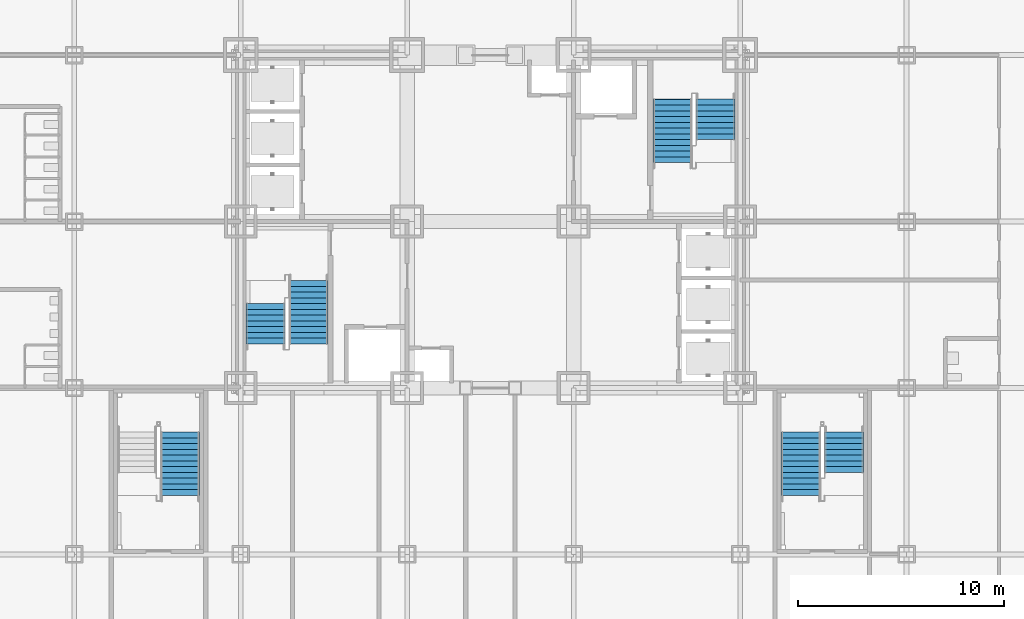
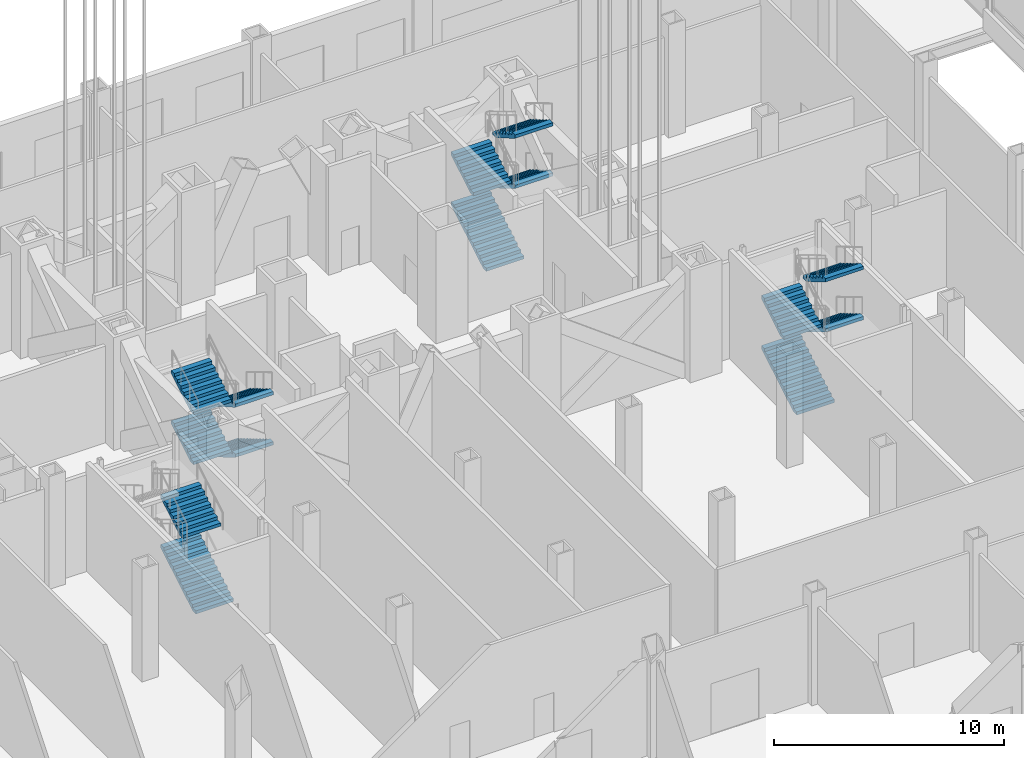
# One storey, part 27 of 35: 14 stair flights, 4 elements without a shape of their own.
"""IFC4 building model written with IfcOpenShell, lengths in metres."""

from ifc_helpers import new_model, si_unit, direction, frame, origin, place, context, subcontext, project, spatial, polygons, source, transform, mapped, material, type_object, element, aggregate, save


model = new_model("IFC4")

# Units and contexts
model_context = context("Model", 3, precision=1e-05, world=origin(), true_north=direction((0.0, 1.0)))
body_context = subcontext(model_context, "Body", "Model", "MODEL_VIEW")
ifc_project = project(units=[si_unit("LENGTHUNIT", "METRE"), si_unit("AREAUNIT", "SQUARE_METRE"), si_unit("VOLUMEUNIT", "CUBIC_METRE"), si_unit("PLANEANGLEUNIT", "RADIAN"), si_unit("MASSUNIT", "GRAM", prefix="KILO")], contexts=[model_context])

# Site, building, storey
site_placement = place(None, origin())
site = spatial("IfcSite", under=ifc_project, at=site_placement, CompositionType="ELEMENT")
building_placement = place(site_placement, origin())
building = spatial("IfcBuilding", under=site, at=building_placement, Name="Kopane Lantern Tower", CompositionType="ELEMENT")
storey_placement = place(building_placement, origin())
storey = spatial("IfcBuildingStorey", under=building, at=storey_placement, Name="L00", CompositionType="ELEMENT", Elevation=0.0)

# Stair, stair flight
ifc_material_1 = material(Name="Steel S355JR", Category="steel")
stair_type = type_object("IfcStairType", Name="EXIT STAIR 1900 HALF TURN", PredefinedType="HALF_TURN_STAIR", material=ifc_material_1)
stair_1_placement = place(storey_placement, origin())
stair_1 = element("IfcStair", 1, at=stair_1_placement, inside=storey, type_object=stair_type, Name="Exit stair ST1 L00", PredefinedType="HALF_TURN_STAIR")
ifc_material_2 = material(Name="Steel S355JR", Category="steel")
stair_flight_type = type_object("IfcStairFlightType", Name="STAIR FLIGHT 1900 STEEL", PredefinedType="STRAIGHT", material=ifc_material_2)
shared_shape_1 = source(origin(), body_context, "Body", "Tessellation", [
    polygons([(3.080078125, 0.949951172, 1.833251953), (2.800048828, 0.949951172, 1.833251953), (2.800048828, -0.949951172, 1.833251953), (3.080078125, -0.949951172, 1.833251953), (0.29296875, 0.949951172, 0.0), (3.080078125, 0.949951172, 1.658935547), (3.080078125, -0.949951172, 1.658935547), (0.29296875, -0.949951172, 0.0), (0.0, 0.949951172, 0.0), (0.0, -0.949951172, 0.0), (0.280029297, 0.949951172, 0.166748047), (0.0, 0.949951172, 0.166748047), (0.0, -0.949951172, 0.166748047), (0.280029297, -0.949951172, 0.166748047), (0.280029297, 0.949951172, 0.333251953), (0.280029297, -0.949951172, 0.333251953), (0.560058594, 0.949951172, 0.333251953), (0.560058594, -0.949951172, 0.333251953), (0.560058594, 0.949951172, 0.5), (0.560058594, -0.949951172, 0.5), (0.840087891, 0.949951172, 0.5), (0.840087891, -0.949951172, 0.5), (0.840087891, 0.949951172, 0.666748047), (0.840087891, -0.949951172, 0.666748047), (1.120117188, 0.949951172, 0.666748047), (1.120117188, -0.949951172, 0.666748047), (1.120117188, 0.949951172, 0.833251953), (1.120117188, -0.949951172, 0.833251953), (1.399902344, 0.949951172, 0.833251953), (1.399902344, -0.949951172, 0.833251953), (1.399902344, 0.949951172, 1.0), (1.399902344, -0.949951172, 1.0), (1.679931641, 0.949951172, 1.0), (1.679931641, -0.949951172, 1.0), (1.679931641, 0.949951172, 1.166748047), (1.679931641, -0.949951172, 1.166748047), (1.959960938, 0.949951172, 1.166748047), (1.959960938, -0.949951172, 1.166748047), (1.959960938, 0.949951172, 1.333251953), (1.959960938, -0.949951172, 1.333251953), (2.239990234, 0.949951172, 1.333251953), (2.239990234, -0.949951172, 1.333251953), (2.239990234, 0.949951172, 1.5), (2.239990234, -0.949951172, 1.5), (2.520019531, 0.949951172, 1.5), (2.520019531, -0.949951172, 1.5), (2.520019531, 0.949951172, 1.666748047), (2.520019531, -0.949951172, 1.666748047), (2.800048828, 0.949951172, 1.666748047), (2.800048828, -0.949951172, 1.666748047), (0.0, 0.0, 0.004506704), (0.0, 0.0, 0.009013408), (0.0, 0.0, 0.013520112), (0.0, 0.0, 0.018026816), (0.0, 0.0, 0.02253352), (0.0, 0.0, 0.027040224), (0.0, 0.0, 0.031546928), (0.0, 0.0, 0.036053632), (0.0, 0.0, 0.040560336), (0.0, 0.0, 0.04506704), (0.0, 0.0, 0.049573744), (0.0, 0.0, 0.054080448), (0.0, 0.0, 0.058587152), (0.0, 0.0, 0.063093856), (0.0, 0.0, 0.06760056), (0.0, 0.0, 0.072107264), (0.0, 0.0, 0.076613967), (0.0, 0.0, 0.081120671), (0.0, 0.0, 0.085627375), (0.0, 0.0, 0.090134079), (0.0, 0.0, 0.094640783), (0.0, 0.0, 0.099147487), (0.0, 0.0, 0.103654191), (0.0, 0.0, 0.108160895), (0.0, 0.0, 0.112667599), (0.0, 0.0, 0.117174303), (0.0, 0.0, 0.121681007), (0.0, 0.0, 0.126187711), (0.0, 0.0, 0.130694415), (0.0, 0.0, 0.135201119), (0.0, 0.0, 0.139707823), (0.0, 0.0, 0.144214527), (0.0, 0.0, 0.148721231), (0.0, 0.0, 0.153227935), (0.0, 0.0, 0.157734639), (0.0, 0.0, 0.162241343), (3.080078125, 0.0, 1.663646801), (3.080078125, 0.0, 1.668358055), (3.080078125, 0.0, 1.67306931), (3.080078125, 0.0, 1.677780564), (3.080078125, 0.0, 1.682491818), (3.080078125, 0.0, 1.687203072), (3.080078125, 0.0, 1.691914326), (3.080078125, 0.0, 1.696625581), (3.080078125, 0.0, 1.701336835), (3.080078125, 0.0, 1.706048089), (3.080078125, 0.0, 1.710759343), (3.080078125, 0.0, 1.715470598), (3.080078125, 0.0, 1.720181852), (3.080078125, 0.0, 1.724893106), (3.080078125, 0.0, 1.72960436), (3.080078125, 0.0, 1.734315614), (3.080078125, 0.0, 1.739026869), (3.080078125, 0.0, 1.743738123), (3.080078125, 0.0, 1.748449377), (3.080078125, 0.0, 1.753160631), (3.080078125, 0.0, 1.757871886), (3.080078125, 0.0, 1.76258314), (3.080078125, 0.0, 1.767294394), (3.080078125, 0.0, 1.772005648), (3.080078125, 0.0, 1.776716902), (3.080078125, 0.0, 1.781428157), (3.080078125, 0.0, 1.786139411), (3.080078125, 0.0, 1.790850665), (3.080078125, 0.0, 1.795561919), (3.080078125, 0.0, 1.800273174), (3.080078125, 0.0, 1.804984428), (3.080078125, 0.0, 1.809695682), (3.080078125, 0.0, 1.814406936), (3.080078125, 0.0, 1.81911819), (3.080078125, 0.0, 1.823829445), (3.080078125, 0.0, 1.828540699)], [[[1, 2, 3]], [[1, 3, 4]], [[5, 6, 7]], [[5, 7, 8]], [[9, 5, 8]], [[9, 8, 10]], [[11, 12, 13]], [[11, 13, 14]], [[15, 11, 14]], [[15, 14, 16]], [[17, 15, 16]], [[17, 16, 18]], [[19, 17, 18]], [[19, 18, 20]], [[21, 19, 20]], [[21, 20, 22]], [[23, 21, 22]], [[23, 22, 24]], [[25, 23, 24]], [[25, 24, 26]], [[27, 25, 26]], [[27, 26, 28]], [[29, 27, 28]], [[29, 28, 30]], [[31, 29, 30]], [[31, 30, 32]], [[33, 31, 32]], [[33, 32, 34]], [[35, 33, 34]], [[35, 34, 36]], [[37, 35, 36]], [[37, 36, 38]], [[39, 37, 38]], [[39, 38, 40]], [[41, 39, 40]], [[41, 40, 42]], [[43, 41, 42]], [[43, 42, 44]], [[45, 43, 44]], [[45, 44, 46]], [[47, 45, 46]], [[47, 46, 48]], [[49, 47, 48]], [[49, 48, 50]], [[2, 49, 50]], [[2, 50, 3]], [[49, 1, 6]], [[45, 49, 6]], [[2, 1, 49]], [[41, 45, 6]], [[47, 49, 45]], [[37, 41, 6]], [[43, 45, 41]], [[39, 41, 37]], [[35, 37, 33]], [[31, 33, 29]], [[5, 21, 25]], [[27, 29, 25]], [[17, 21, 5]], [[23, 25, 21]], [[11, 17, 5]], [[19, 21, 17]], [[9, 11, 5]], [[15, 17, 11]], [[12, 11, 9]], [[6, 5, 29]], [[29, 5, 25]], [[6, 29, 33]], [[6, 33, 37]], [[7, 4, 50]], [[7, 50, 46]], [[50, 4, 3]], [[7, 46, 42]], [[46, 50, 48]], [[7, 42, 38]], [[42, 46, 44]], [[38, 42, 40]], [[34, 38, 36]], [[30, 34, 32]], [[26, 22, 8]], [[26, 30, 28]], [[8, 22, 18]], [[22, 26, 24]], [[8, 18, 14]], [[18, 22, 20]], [[8, 14, 10]], [[14, 18, 16]], [[10, 14, 13]], [[30, 8, 7]], [[26, 8, 30]], [[34, 30, 7]], [[38, 34, 7]], [[10, 51, 9]], [[10, 52, 51]], [[9, 51, 52]], [[10, 53, 52]], [[9, 52, 53]], [[10, 54, 53]], [[9, 53, 54]], [[10, 55, 54]], [[9, 54, 55]], [[10, 56, 55]], [[9, 55, 56]], [[10, 57, 56]], [[9, 56, 57]], [[10, 58, 57]], [[9, 57, 58]], [[10, 59, 58]], [[9, 58, 59]], [[10, 60, 59]], [[9, 59, 60]], [[10, 61, 60]], [[9, 60, 61]], [[10, 62, 61]], [[9, 61, 62]], [[10, 63, 62]], [[9, 62, 63]], [[10, 64, 63]], [[9, 63, 64]], [[10, 65, 64]], [[9, 64, 65]], [[10, 66, 65]], [[9, 65, 66]], [[10, 67, 66]], [[9, 66, 67]], [[10, 68, 67]], [[9, 67, 68]], [[10, 69, 68]], [[9, 68, 69]], [[10, 70, 69]], [[9, 69, 70]], [[10, 71, 70]], [[9, 70, 71]], [[10, 72, 71]], [[9, 71, 72]], [[10, 73, 72]], [[9, 72, 73]], [[10, 74, 73]], [[9, 73, 74]], [[10, 75, 74]], [[9, 74, 75]], [[10, 76, 75]], [[9, 75, 76]], [[10, 77, 76]], [[9, 76, 77]], [[10, 78, 77]], [[9, 77, 78]], [[10, 79, 78]], [[9, 78, 79]], [[10, 80, 79]], [[9, 79, 80]], [[10, 81, 80]], [[9, 80, 81]], [[10, 82, 81]], [[9, 81, 82]], [[10, 83, 82]], [[9, 82, 83]], [[10, 84, 83]], [[9, 83, 84]], [[10, 85, 84]], [[9, 84, 85]], [[10, 86, 85]], [[9, 85, 86]], [[10, 13, 86]], [[86, 13, 12]], [[9, 86, 12]], [[7, 6, 87]], [[7, 87, 88]], [[6, 88, 87]], [[7, 88, 89]], [[6, 89, 88]], [[7, 89, 90]], [[6, 90, 89]], [[7, 90, 91]], [[6, 91, 90]], [[7, 91, 92]], [[6, 92, 91]], [[7, 92, 93]], [[6, 93, 92]], [[7, 93, 94]], [[6, 94, 93]], [[7, 94, 95]], [[6, 95, 94]], [[7, 95, 96]], [[6, 96, 95]], [[7, 96, 97]], [[6, 97, 96]], [[7, 97, 98]], [[6, 98, 97]], [[7, 98, 99]], [[6, 99, 98]], [[7, 99, 100]], [[6, 100, 99]], [[7, 100, 101]], [[6, 101, 100]], [[7, 101, 102]], [[6, 102, 101]], [[7, 102, 103]], [[6, 103, 102]], [[7, 103, 104]], [[6, 104, 103]], [[7, 104, 105]], [[6, 105, 104]], [[7, 105, 106]], [[6, 106, 105]], [[7, 106, 107]], [[6, 107, 106]], [[7, 107, 108]], [[6, 108, 107]], [[7, 108, 109]], [[6, 109, 108]], [[7, 109, 110]], [[6, 110, 109]], [[7, 110, 111]], [[6, 111, 110]], [[7, 111, 112]], [[6, 112, 111]], [[7, 112, 113]], [[6, 113, 112]], [[7, 113, 114]], [[6, 114, 113]], [[7, 114, 115]], [[6, 115, 114]], [[7, 115, 116]], [[6, 116, 115]], [[7, 116, 117]], [[6, 117, 116]], [[7, 117, 118]], [[6, 118, 117]], [[7, 118, 119]], [[6, 119, 118]], [[7, 119, 120]], [[6, 120, 119]], [[7, 120, 121]], [[6, 121, 120]], [[7, 121, 122]], [[6, 122, 121]], [[7, 122, 4]], [[122, 1, 4]], [[6, 1, 122]]], closed=True),
])
stair_flight_1_placement = place(storey_placement, frame((19.5, 29.530029296875, 0.0), z_axis=(0.0, 0.0, 1.0), x_axis=(0.0, -1.0, 0.0)))
stair_flight_1 = element("IfcStairFlight", 2, at=stair_flight_1_placement, type_object=stair_flight_type, Name="ST1 flight 1", NumberOfRisers=12, NumberOfTreads=11, PredefinedType="STRAIGHT", RiserHeight=0.166666667, TreadLength=0.28, context=body_context, shape_type="MappedRepresentation", body=[
    mapped(shared_shape_1, transform((0.0, 0.0, 0.0))),
])

stair_2_placement = place(storey_placement, origin())
stair_2 = element("IfcStair", 3, at=stair_2_placement, inside=storey, type_object=stair_type, Name="Exit stair ST2 L00", PredefinedType="HALF_TURN_STAIR")
stair_flight_2_placement = place(storey_placement, frame((37.199951171875, 35.27001953125, 0.0), z_axis=(0.0, 0.0, 1.0), x_axis=(0.0, 1.0, 0.0)))
stair_flight_2 = element("IfcStairFlight", 4, at=stair_flight_2_placement, type_object=stair_flight_type, Name="ST2 flight 1", NumberOfRisers=12, NumberOfTreads=11, PredefinedType="STRAIGHT", RiserHeight=0.166666667, TreadLength=0.28, context=body_context, shape_type="MappedRepresentation", body=[
    mapped(shared_shape_1, transform((0.0, 0.0, 0.0))),
])

stair_3_placement = place(storey_placement, origin())
stair_3 = element("IfcStair", 5, at=stair_3_placement, inside=storey, type_object=stair_type, Name="Exit stair ST3 L00", PredefinedType="HALF_TURN_STAIR")
stair_flight_3_placement = place(storey_placement, frame((13.25, 19.070068359375, 0.0), z_axis=(0.0, 0.0, 1.0), x_axis=(0.0, 1.0, 0.0)))
stair_flight_3 = element("IfcStairFlight", 6, at=stair_flight_3_placement, type_object=stair_flight_type, Name="ST3 flight 1", NumberOfRisers=12, NumberOfTreads=11, PredefinedType="STRAIGHT", RiserHeight=0.166666667, TreadLength=0.28, context=body_context, shape_type="MappedRepresentation", body=[
    mapped(shared_shape_1, transform((0.0, 0.0, 0.0))),
])

stair_4_placement = place(storey_placement, origin())
stair_4 = element("IfcStair", 7, at=stair_4_placement, inside=storey, type_object=stair_type, Name="Exit stair ST4 L00", PredefinedType="HALF_TURN_STAIR")
stair_flight_4_placement = place(storey_placement, frame((43.449951171875, 19.070068359375, 0.0), z_axis=(0.0, 0.0, 1.0), x_axis=(0.0, 1.0, 0.0)))
stair_flight_4 = element("IfcStairFlight", 8, at=stair_flight_4_placement, type_object=stair_flight_type, Name="ST4 flight 1", NumberOfRisers=12, NumberOfTreads=11, PredefinedType="STRAIGHT", RiserHeight=0.166666667, TreadLength=0.28, context=body_context, shape_type="MappedRepresentation", body=[
    mapped(shared_shape_1, transform((0.0, 0.0, 0.0))),
])

# Stair flight
shared_shape_2 = source(origin(), body_context, "Body", "Tessellation", [
    polygons([(1.959960938, 0.949951172, 1.166748047), (1.679931641, 0.949951172, 1.166748047), (1.679931641, -0.949951172, 1.166748047), (1.959960938, -0.949951172, 1.166748047), (0.29296875, 0.949951172, 0.0), (1.959960938, 0.949951172, 0.9921875), (1.959960938, -0.949951172, 0.9921875), (0.29296875, -0.949951172, 0.0), (0.0, 0.949951172, 0.0), (0.0, -0.949951172, 0.0), (0.280029297, 0.949951172, 0.166748047), (0.0, 0.949951172, 0.166748047), (0.0, -0.949951172, 0.166748047), (0.280029297, -0.949951172, 0.166748047), (0.280029297, 0.949951172, 0.333251953), (0.280029297, -0.949951172, 0.333251953), (0.560058594, 0.949951172, 0.333251953), (0.560058594, -0.949951172, 0.333251953), (0.560058594, 0.949951172, 0.5), (0.560058594, -0.949951172, 0.5), (0.840087891, 0.949951172, 0.5), (0.840087891, -0.949951172, 0.5), (0.840087891, 0.949951172, 0.666748047), (0.840087891, -0.949951172, 0.666748047), (1.120117188, 0.949951172, 0.666748047), (1.120117188, -0.949951172, 0.666748047), (1.120117188, 0.949951172, 0.833251953), (1.120117188, -0.949951172, 0.833251953), (1.399902344, 0.949951172, 0.833251953), (1.399902344, -0.949951172, 0.833251953), (1.399902344, 0.949951172, 1.0), (1.399902344, -0.949951172, 1.0), (1.679931641, 0.949951172, 1.0), (1.679931641, -0.949951172, 1.0), (0.0, 0.0, 0.004506704), (0.0, 0.0, 0.009013408), (0.0, 0.0, 0.013520112), (0.0, 0.0, 0.018026816), (0.0, 0.0, 0.02253352), (0.0, 0.0, 0.027040224), (0.0, 0.0, 0.031546928), (0.0, 0.0, 0.036053632), (0.0, 0.0, 0.040560336), (0.0, 0.0, 0.04506704), (0.0, 0.0, 0.049573744), (0.0, 0.0, 0.054080448), (0.0, 0.0, 0.058587152), (0.0, 0.0, 0.063093856), (0.0, 0.0, 0.06760056), (0.0, 0.0, 0.072107264), (0.0, 0.0, 0.076613967), (0.0, 0.0, 0.081120671), (0.0, 0.0, 0.085627375), (0.0, 0.0, 0.090134079), (0.0, 0.0, 0.094640783), (0.0, 0.0, 0.099147487), (0.0, 0.0, 0.103654191), (0.0, 0.0, 0.108160895), (0.0, 0.0, 0.112667599), (0.0, 0.0, 0.117174303), (0.0, 0.0, 0.121681007), (0.0, 0.0, 0.126187711), (0.0, 0.0, 0.130694415), (0.0, 0.0, 0.135201119), (0.0, 0.0, 0.139707823), (0.0, 0.0, 0.144214527), (0.0, 0.0, 0.148721231), (0.0, 0.0, 0.153227935), (0.0, 0.0, 0.157734639), (0.0, 0.0, 0.162241343), (1.959960938, 0.0, 0.996905353), (1.959960938, 0.0, 1.001623205), (1.959960938, 0.0, 1.006341058), (1.959960938, 0.0, 1.01105891), (1.959960938, 0.0, 1.015776763), (1.959960938, 0.0, 1.020494616), (1.959960938, 0.0, 1.025212468), (1.959960938, 0.0, 1.029930321), (1.959960938, 0.0, 1.034648174), (1.959960938, 0.0, 1.039366026), (1.959960938, 0.0, 1.044083879), (1.959960938, 0.0, 1.048801731), (1.959960938, 0.0, 1.053519584), (1.959960938, 0.0, 1.058237437), (1.959960938, 0.0, 1.062955289), (1.959960938, 0.0, 1.067673142), (1.959960938, 0.0, 1.072390995), (1.959960938, 0.0, 1.077108847), (1.959960938, 0.0, 1.0818267), (1.959960938, 0.0, 1.086544552), (1.959960938, 0.0, 1.091262405), (1.959960938, 0.0, 1.095980258), (1.959960938, 0.0, 1.10069811), (1.959960938, 0.0, 1.105415963), (1.959960938, 0.0, 1.110133815), (1.959960938, 0.0, 1.114851668), (1.959960938, 0.0, 1.119569521), (1.959960938, 0.0, 1.124287373), (1.959960938, 0.0, 1.129005226), (1.959960938, 0.0, 1.133723079), (1.959960938, 0.0, 1.138440931), (1.959960938, 0.0, 1.143158784), (1.959960938, 0.0, 1.147876636), (1.959960938, 0.0, 1.152594489), (1.959960938, 0.0, 1.157312342), (1.959960938, 0.0, 1.162030194)], [[[1, 2, 3]], [[1, 3, 4]], [[5, 6, 7]], [[5, 7, 8]], [[9, 5, 8]], [[9, 8, 10]], [[11, 12, 13]], [[11, 13, 14]], [[15, 11, 14]], [[15, 14, 16]], [[17, 15, 16]], [[17, 16, 18]], [[19, 17, 18]], [[19, 18, 20]], [[21, 19, 20]], [[21, 20, 22]], [[23, 21, 22]], [[23, 22, 24]], [[25, 23, 24]], [[25, 24, 26]], [[27, 25, 26]], [[27, 26, 28]], [[29, 27, 28]], [[29, 28, 30]], [[31, 29, 30]], [[31, 30, 32]], [[33, 31, 32]], [[33, 32, 34]], [[2, 33, 34]], [[2, 34, 3]], [[33, 1, 6]], [[29, 33, 6]], [[2, 1, 33]], [[25, 29, 6]], [[31, 33, 29]], [[5, 21, 25]], [[27, 29, 25]], [[17, 21, 5]], [[23, 25, 21]], [[11, 17, 5]], [[19, 21, 17]], [[9, 11, 5]], [[15, 17, 11]], [[12, 11, 9]], [[6, 5, 25]], [[7, 4, 34]], [[7, 34, 30]], [[34, 4, 3]], [[7, 30, 26]], [[30, 34, 32]], [[26, 22, 8]], [[26, 30, 28]], [[8, 22, 18]], [[22, 26, 24]], [[8, 18, 14]], [[18, 22, 20]], [[8, 14, 10]], [[14, 18, 16]], [[10, 14, 13]], [[26, 8, 7]], [[10, 35, 9]], [[10, 36, 35]], [[9, 35, 36]], [[10, 37, 36]], [[9, 36, 37]], [[10, 38, 37]], [[9, 37, 38]], [[10, 39, 38]], [[9, 38, 39]], [[10, 40, 39]], [[9, 39, 40]], [[10, 41, 40]], [[9, 40, 41]], [[10, 42, 41]], [[9, 41, 42]], [[10, 43, 42]], [[9, 42, 43]], [[10, 44, 43]], [[9, 43, 44]], [[10, 45, 44]], [[9, 44, 45]], [[10, 46, 45]], [[9, 45, 46]], [[10, 47, 46]], [[9, 46, 47]], [[10, 48, 47]], [[9, 47, 48]], [[10, 49, 48]], [[9, 48, 49]], [[10, 50, 49]], [[9, 49, 50]], [[10, 51, 50]], [[9, 50, 51]], [[10, 52, 51]], [[9, 51, 52]], [[10, 53, 52]], [[9, 52, 53]], [[10, 54, 53]], [[9, 53, 54]], [[10, 55, 54]], [[9, 54, 55]], [[10, 56, 55]], [[9, 55, 56]], [[10, 57, 56]], [[9, 56, 57]], [[10, 58, 57]], [[9, 57, 58]], [[10, 59, 58]], [[9, 58, 59]], [[10, 60, 59]], [[9, 59, 60]], [[10, 61, 60]], [[9, 60, 61]], [[10, 62, 61]], [[9, 61, 62]], [[10, 63, 62]], [[9, 62, 63]], [[10, 64, 63]], [[9, 63, 64]], [[10, 65, 64]], [[9, 64, 65]], [[10, 66, 65]], [[9, 65, 66]], [[10, 67, 66]], [[9, 66, 67]], [[10, 68, 67]], [[9, 67, 68]], [[10, 69, 68]], [[9, 68, 69]], [[10, 70, 69]], [[9, 69, 70]], [[10, 13, 70]], [[70, 13, 12]], [[9, 70, 12]], [[7, 6, 71]], [[7, 71, 72]], [[6, 72, 71]], [[7, 72, 73]], [[6, 73, 72]], [[7, 73, 74]], [[6, 74, 73]], [[7, 74, 75]], [[6, 75, 74]], [[7, 75, 76]], [[6, 76, 75]], [[7, 76, 77]], [[6, 77, 76]], [[7, 77, 78]], [[6, 78, 77]], [[7, 78, 79]], [[6, 79, 78]], [[7, 79, 80]], [[6, 80, 79]], [[7, 80, 81]], [[6, 81, 80]], [[7, 81, 82]], [[6, 82, 81]], [[7, 82, 83]], [[6, 83, 82]], [[7, 83, 84]], [[6, 84, 83]], [[7, 84, 85]], [[6, 85, 84]], [[7, 85, 86]], [[6, 86, 85]], [[7, 86, 87]], [[6, 87, 86]], [[7, 87, 88]], [[6, 88, 87]], [[7, 88, 89]], [[6, 89, 88]], [[7, 89, 90]], [[6, 90, 89]], [[7, 90, 91]], [[6, 91, 90]], [[7, 91, 92]], [[6, 92, 91]], [[7, 92, 93]], [[6, 93, 92]], [[7, 93, 94]], [[6, 94, 93]], [[7, 94, 95]], [[6, 95, 94]], [[7, 95, 96]], [[6, 96, 95]], [[7, 96, 97]], [[6, 97, 96]], [[7, 97, 98]], [[6, 98, 97]], [[7, 98, 99]], [[6, 99, 98]], [[7, 99, 100]], [[6, 100, 99]], [[7, 100, 101]], [[6, 101, 100]], [[7, 101, 102]], [[6, 102, 101]], [[7, 102, 103]], [[6, 103, 102]], [[7, 103, 104]], [[6, 104, 103]], [[7, 104, 105]], [[6, 105, 104]], [[7, 105, 106]], [[6, 106, 105]], [[7, 106, 4]], [[106, 1, 4]], [[6, 1, 106]]], closed=True),
])
stair_flight_5_placement = place(storey_placement, frame((17.39990234375, 26.449951171875, 2.0), z_axis=(0.0, 0.0, 1.0), x_axis=(0.0, 1.0, 0.0)))
stair_flight_5 = element("IfcStairFlight", 9, at=stair_flight_5_placement, type_object=stair_flight_type, Name="ST1 flight 2", NumberOfRisers=8, NumberOfTreads=7, PredefinedType="STRAIGHT", RiserHeight=0.166666667, TreadLength=0.28, context=body_context, shape_type="MappedRepresentation", body=[
    mapped(shared_shape_2, transform((0.0, 0.0, 0.0))),
])

stair_flight_6_placement = place(storey_placement, frame((19.5, 28.409912109375, 3.333251953125), z_axis=(0.0, 0.0, 1.0), x_axis=(0.0, -1.0, 0.0)))
stair_flight_6 = element("IfcStairFlight", 10, at=stair_flight_6_placement, type_object=stair_flight_type, Name="ST1 flight 3", NumberOfRisers=8, NumberOfTreads=7, PredefinedType="STRAIGHT", RiserHeight=0.166666667, TreadLength=0.28, context=body_context, shape_type="MappedRepresentation", body=[
    mapped(shared_shape_2, transform((0.0, 0.0, 0.0))),
])

stair_flight_7_placement = place(storey_placement, frame((17.39990234375, 26.449951171875, 4.666748046875), z_axis=(0.0, 0.0, 1.0), x_axis=(0.0, 1.0, 0.0)))
stair_flight_7 = element("IfcStairFlight", 11, at=stair_flight_7_placement, type_object=stair_flight_type, Name="ST1 flight 4", NumberOfRisers=8, NumberOfTreads=7, PredefinedType="STRAIGHT", RiserHeight=0.166666667, TreadLength=0.28, context=body_context, shape_type="MappedRepresentation", body=[
    mapped(shared_shape_2, transform((0.0, 0.0, 0.0))),
])

aggregate(stair_1, [stair_flight_1, stair_flight_5, stair_flight_6, stair_flight_7])

stair_flight_8_placement = place(storey_placement, frame((39.300048828125, 38.35009765625, 2.0), z_axis=(0.0, 0.0, 1.0), x_axis=(0.0, -1.0, 0.0)))
stair_flight_8 = element("IfcStairFlight", 12, at=stair_flight_8_placement, type_object=stair_flight_type, Name="ST2 flight 2", NumberOfRisers=8, NumberOfTreads=7, PredefinedType="STRAIGHT", RiserHeight=0.166666667, TreadLength=0.28, context=body_context, shape_type="MappedRepresentation", body=[
    mapped(shared_shape_2, transform((0.0, 0.0, 0.0))),
])

stair_flight_9_placement = place(storey_placement, frame((37.199951171875, 36.389892578125, 3.333251953125), z_axis=(0.0, 0.0, 1.0), x_axis=(0.0, 1.0, 0.0)))
stair_flight_9 = element("IfcStairFlight", 13, at=stair_flight_9_placement, type_object=stair_flight_type, Name="ST2 flight 3", NumberOfRisers=8, NumberOfTreads=7, PredefinedType="STRAIGHT", RiserHeight=0.166666667, TreadLength=0.28, context=body_context, shape_type="MappedRepresentation", body=[
    mapped(shared_shape_2, transform((0.0, 0.0, 0.0))),
])

stair_flight_10_placement = place(storey_placement, frame((39.300048828125, 38.35009765625, 4.666748046875), z_axis=(0.0, 0.0, 1.0), x_axis=(0.0, -1.0, 0.0)))
stair_flight_10 = element("IfcStairFlight", 14, at=stair_flight_10_placement, type_object=stair_flight_type, Name="ST2 flight 4", NumberOfRisers=8, NumberOfTreads=7, PredefinedType="STRAIGHT", RiserHeight=0.166666667, TreadLength=0.28, context=body_context, shape_type="MappedRepresentation", body=[
    mapped(shared_shape_2, transform((0.0, 0.0, 0.0))),
])

aggregate(stair_2, [stair_flight_2, stair_flight_8, stair_flight_9, stair_flight_10])

stair_flight_11_placement = place(storey_placement, frame((13.25, 20.18994140625, 3.333251953125), z_axis=(0.0, 0.0, 1.0), x_axis=(0.0, 1.0, 0.0)))
stair_flight_11 = element("IfcStairFlight", 15, at=stair_flight_11_placement, type_object=stair_flight_type, Name="ST3 flight 3", NumberOfRisers=8, NumberOfTreads=7, PredefinedType="STRAIGHT", RiserHeight=0.166666667, TreadLength=0.28, context=body_context, shape_type="MappedRepresentation", body=[
    mapped(shared_shape_2, transform((0.0, 0.0, 0.0))),
])

aggregate(stair_3, [stair_flight_3, stair_flight_11])

stair_flight_12_placement = place(storey_placement, frame((45.550048828125, 22.14990234375, 2.0), z_axis=(0.0, 0.0, 1.0), x_axis=(0.0, -1.0, 0.0)))
stair_flight_12 = element("IfcStairFlight", 16, at=stair_flight_12_placement, type_object=stair_flight_type, Name="ST4 flight 2", NumberOfRisers=8, NumberOfTreads=7, PredefinedType="STRAIGHT", RiserHeight=0.166666667, TreadLength=0.28, context=body_context, shape_type="MappedRepresentation", body=[
    mapped(shared_shape_2, transform((0.0, 0.0, 0.0))),
])

stair_flight_13_placement = place(storey_placement, frame((43.449951171875, 20.18994140625, 3.333251953125), z_axis=(0.0, 0.0, 1.0), x_axis=(0.0, 1.0, 0.0)))
stair_flight_13 = element("IfcStairFlight", 17, at=stair_flight_13_placement, type_object=stair_flight_type, Name="ST4 flight 3", NumberOfRisers=8, NumberOfTreads=7, PredefinedType="STRAIGHT", RiserHeight=0.166666667, TreadLength=0.28, context=body_context, shape_type="MappedRepresentation", body=[
    mapped(shared_shape_2, transform((0.0, 0.0, 0.0))),
])

stair_flight_14_placement = place(storey_placement, frame((45.550048828125, 22.14990234375, 4.666748046875), z_axis=(0.0, 0.0, 1.0), x_axis=(0.0, -1.0, 0.0)))
stair_flight_14 = element("IfcStairFlight", 18, at=stair_flight_14_placement, type_object=stair_flight_type, Name="ST4 flight 4", NumberOfRisers=8, NumberOfTreads=7, PredefinedType="STRAIGHT", RiserHeight=0.166666667, TreadLength=0.28, context=body_context, shape_type="MappedRepresentation", body=[
    mapped(shared_shape_2, transform((0.0, 0.0, 0.0))),
])

aggregate(stair_4, [stair_flight_4, stair_flight_12, stair_flight_13, stair_flight_14])

save(model, "model.ifc")
